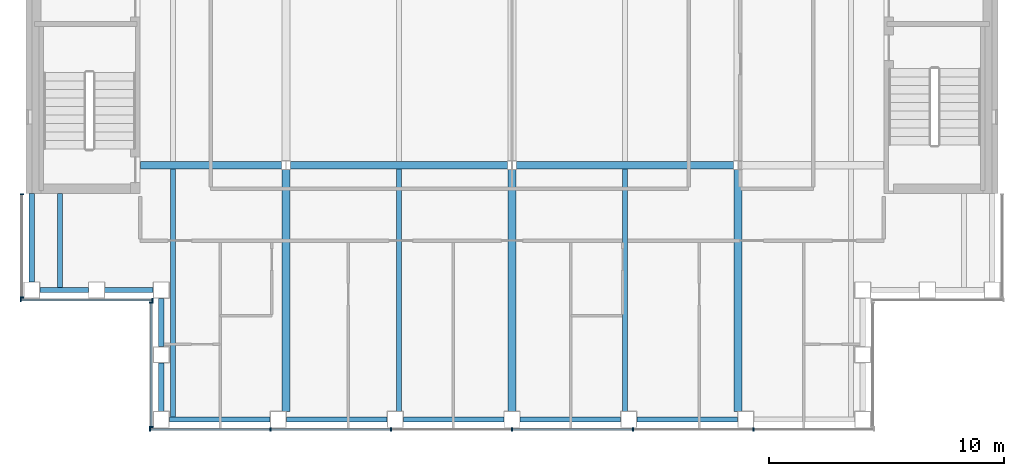
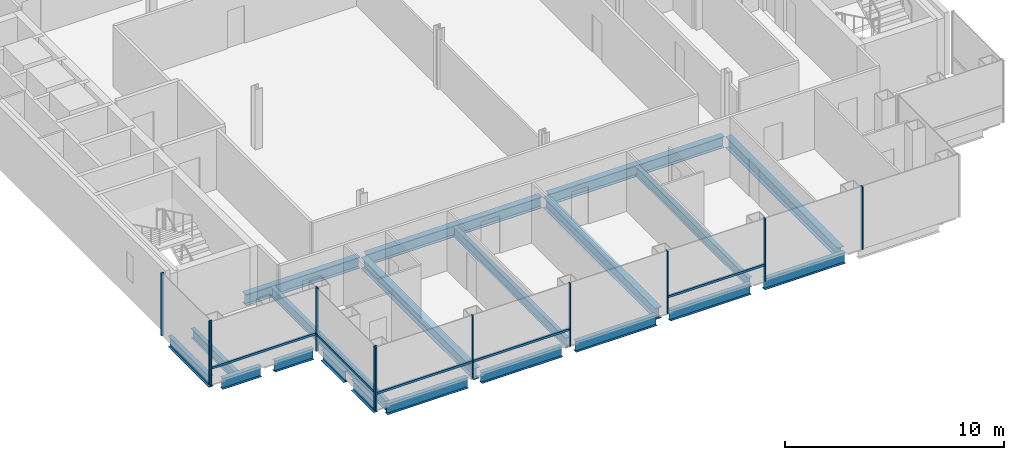
# One storey, part 3 of 15: 20 beams, 17 members, 4 elements without a shape of their own.
"""IFC4 building model written with IfcOpenShell, lengths in metres."""

from ifc_helpers import new_model, si_unit, direction, frame, origin, origin_2d, place, context, subcontext, project, spatial, rectangle, i_section, extrude, material, material_profile, profile_set, type_object, element, aggregate, save


model = new_model("IFC4")

# Units and contexts
model_context = context("Model", 3, precision=1e-05, world=origin(), true_north=direction((0.0, 1.0)))
body_context = subcontext(model_context, "Body", "Model", "MODEL_VIEW")
ifc_project = project(units=[si_unit("LENGTHUNIT", "METRE"), si_unit("AREAUNIT", "SQUARE_METRE"), si_unit("VOLUMEUNIT", "CUBIC_METRE"), si_unit("PLANEANGLEUNIT", "RADIAN"), si_unit("MASSUNIT", "GRAM", prefix="KILO")], contexts=[model_context])

# Site, building, storey
site_placement = place(None, origin())
site = spatial("IfcSite", under=ifc_project, at=site_placement, CompositionType="ELEMENT")
building_placement = place(site_placement, origin())
building = spatial("IfcBuilding", under=site, at=building_placement, Name="Cobrizo Arcos Hotel Tower", CompositionType="ELEMENT")
storey_placement = place(building_placement, frame((0.0, 0.0, 194.5)))
storey = spatial("IfcBuildingStorey", under=building, at=storey_placement, Name="L50", CompositionType="ELEMENT", Elevation=194.5)

# Curtain wall, members
ifc_material_1 = material(Name="Aluminium 6063-T6 anodised bronze", Category="aluminium")
curtain_wall_type = type_object("IfcCurtainWallType", Name="CW-A guest facade", PredefinedType="NOTDEFINED", material=ifc_material_1)
curtain_wall_1_placement = place(storey_placement, origin())
curtain_wall_1 = element("IfcCurtainWall", 1, at=curtain_wall_1_placement, inside=storey, type_object=curtain_wall_type, Name="CW-A L50 S face", PredefinedType="NOTDEFINED")
ifc_material_profile_1 = material_profile(ifc_material_1, rectangle(XDim=0.14990234375, YDim=0.06005859375, at=origin_2d()), Name="CW-A mullion 150x60")
ifc_profile_set_1 = profile_set([ifc_material_profile_1], Name="Aluminium 6063-T6 anodised bronze")
member_type_1 = type_object("IfcMemberType", Name="CW-A mullion 150x60", PredefinedType="MULLION", material=ifc_profile_set_1)
member_1_placement = place(storey_placement, frame((-15.3701171875, -20.824951171875, 0.0), z_axis=(0.0, 0.0, 1.0), x_axis=(0.0, -1.0, 0.0)))
member_1 = element("IfcMember", 2, at=member_1_placement, type_object=member_type_1, Name="CW-A mullion 1", PredefinedType="MULLION", context=body_context, shape_type="SweptSolid", body=[
    extrude(rectangle(XDim=0.14990234375, YDim=0.06005859375, at=origin_2d()), origin(), (0.0, 0.0, 1.0), 3.5),
])
member_2_placement = place(storey_placement, frame((-10.2666015625, -20.824951171875, 0.0), z_axis=(0.0, 0.0, 1.0), x_axis=(0.0, -1.0, 0.0)))
member_2 = element("IfcMember", 3, at=member_2_placement, type_object=member_type_1, Name="CW-A mullion 2", PredefinedType="MULLION", context=body_context, shape_type="SweptSolid", body=[
    extrude(rectangle(XDim=0.14990234375, YDim=0.06005859375, at=origin_2d()), origin(), (0.0, 0.0, 1.0), 3.5),
])
member_3_placement = place(storey_placement, frame((-5.13330078125, -20.824951171875, 0.0), z_axis=(0.0, 0.0, 1.0), x_axis=(0.0, -1.0, 0.0)))
member_3 = element("IfcMember", 4, at=member_3_placement, type_object=member_type_1, Name="CW-A mullion 3", PredefinedType="MULLION", context=body_context, shape_type="SweptSolid", body=[
    extrude(rectangle(XDim=0.14990234375, YDim=0.06005859375, at=origin_2d()), origin(), (0.0, 0.0, 1.0), 3.5),
])
member_4_placement = place(storey_placement, frame((0.0, -20.824951171875, 0.0), z_axis=(0.0, 0.0, 1.0), x_axis=(0.0, -1.0, 0.0)))
member_4 = element("IfcMember", 5, at=member_4_placement, type_object=member_type_1, Name="CW-A mullion 4", PredefinedType="MULLION", context=body_context, shape_type="SweptSolid", body=[
    extrude(rectangle(XDim=0.14990234375, YDim=0.06005859375, at=origin_2d()), origin(), (0.0, 0.0, 1.0), 3.5),
])
member_5_placement = place(storey_placement, frame((5.13330078125, -20.824951171875, 0.0), z_axis=(0.0, 0.0, 1.0), x_axis=(0.0, -1.0, 0.0)))
member_5 = element("IfcMember", 6, at=member_5_placement, type_object=member_type_1, Name="CW-A mullion 5", PredefinedType="MULLION", context=body_context, shape_type="SweptSolid", body=[
    extrude(rectangle(XDim=0.14990234375, YDim=0.06005859375, at=origin_2d()), origin(), (0.0, 0.0, 1.0), 3.5),
])
member_6_placement = place(storey_placement, frame((10.2666015625, -20.824951171875, 0.0), z_axis=(0.0, 0.0, 1.0), x_axis=(0.0, -1.0, 0.0)))
member_6 = element("IfcMember", 7, at=member_6_placement, type_object=member_type_1, Name="CW-A mullion 6", PredefinedType="MULLION", context=body_context, shape_type="SweptSolid", body=[
    extrude(rectangle(XDim=0.14990234375, YDim=0.06005859375, at=origin_2d()), origin(), (0.0, 0.0, 1.0), 3.5),
])

curtain_wall_2_placement = place(storey_placement, origin())
curtain_wall_2 = element("IfcCurtainWall", 8, at=curtain_wall_2_placement, inside=storey, type_object=curtain_wall_type, Name="CW-A L50 W face", PredefinedType="NOTDEFINED")
member_7_placement = place(storey_placement, frame((-20.824951171875, -10.830078125, 0.0), z_axis=(0.0, 0.0, 1.0), x_axis=(-1.0, 0.0, 0.0)))
member_7 = element("IfcMember", 9, at=member_7_placement, type_object=member_type_1, Name="CW-A mullion 1", PredefinedType="MULLION", context=body_context, shape_type="SweptSolid", body=[
    extrude(rectangle(XDim=0.14990234375, YDim=0.06005859375, at=origin_2d()), origin(), (0.0, 0.0, 1.0), 3.5),
])
member_8_placement = place(storey_placement, frame((-20.824951171875, -15.219970703125, 0.0), z_axis=(0.0, 0.0, 1.0), x_axis=(-1.0, 0.0, 0.0)))
member_8 = element("IfcMember", 10, at=member_8_placement, type_object=member_type_1, Name="CW-A mullion 2", PredefinedType="MULLION", context=body_context, shape_type="SweptSolid", body=[
    extrude(rectangle(XDim=0.14990234375, YDim=0.06005859375, at=origin_2d()), origin(), (0.0, 0.0, 1.0), 3.5),
])
aggregate(curtain_wall_2, [member_7, member_8])

curtain_wall_3_placement = place(storey_placement, origin())
curtain_wall_3 = element("IfcCurtainWall", 11, at=curtain_wall_3_placement, inside=storey, type_object=curtain_wall_type, Name="CW-A L50 S face", PredefinedType="NOTDEFINED")
member_9_placement = place(storey_placement, frame((-20.8701171875, -15.324951171875, 0.0), z_axis=(0.0, 0.0, 1.0), x_axis=(0.0, -1.0, 0.0)))
member_9 = element("IfcMember", 12, at=member_9_placement, type_object=member_type_1, Name="CW-A mullion 1", PredefinedType="MULLION", context=body_context, shape_type="SweptSolid", body=[
    extrude(rectangle(XDim=0.14990234375, YDim=0.06005859375, at=origin_2d()), origin(), (0.0, 0.0, 1.0), 3.5),
])
member_10_placement = place(storey_placement, frame((-15.280029296875, -15.324951171875, 0.0), z_axis=(0.0, 0.0, 1.0), x_axis=(0.0, -1.0, 0.0)))
member_10 = element("IfcMember", 13, at=member_10_placement, type_object=member_type_1, Name="CW-A mullion 2", PredefinedType="MULLION", context=body_context, shape_type="SweptSolid", body=[
    extrude(rectangle(XDim=0.14990234375, YDim=0.06005859375, at=origin_2d()), origin(), (0.0, 0.0, 1.0), 3.5),
])

curtain_wall_4_placement = place(storey_placement, origin())
curtain_wall_4 = element("IfcCurtainWall", 14, at=curtain_wall_4_placement, inside=storey, type_object=curtain_wall_type, Name="CW-A L50 W face", PredefinedType="NOTDEFINED")
member_11_placement = place(storey_placement, frame((-15.324951171875, -15.429931640625, 0.0), z_axis=(0.0, 0.0, 1.0), x_axis=(-1.0, 0.0, 0.0)))
member_11 = element("IfcMember", 15, at=member_11_placement, type_object=member_type_1, Name="CW-A mullion 1", PredefinedType="MULLION", context=body_context, shape_type="SweptSolid", body=[
    extrude(rectangle(XDim=0.14990234375, YDim=0.06005859375, at=origin_2d()), origin(), (0.0, 0.0, 1.0), 3.5),
])
member_12_placement = place(storey_placement, frame((-15.324951171875, -20.719970703125, 0.0), z_axis=(0.0, 0.0, 1.0), x_axis=(-1.0, 0.0, 0.0)))
member_12 = element("IfcMember", 16, at=member_12_placement, type_object=member_type_1, Name="CW-A mullion 2", PredefinedType="MULLION", context=body_context, shape_type="SweptSolid", body=[
    extrude(rectangle(XDim=0.14990234375, YDim=0.06005859375, at=origin_2d()), origin(), (0.0, 0.0, 1.0), 3.5),
])

# Member
ifc_material_profile_2 = material_profile(ifc_material_1, rectangle(XDim=0.10009765625, YDim=0.1201171875, at=origin_2d()), Name="CW-A transom 120x100")
ifc_profile_set_2 = profile_set([ifc_material_profile_2], Name="Aluminium 6063-T6 anodised bronze")
member_type_2 = type_object("IfcMemberType", Name="CW-A transom 120x100", PredefinedType="USERDEFINED", material=ifc_profile_set_2)
member_13_placement = place(storey_placement, frame((-15.340087890625, -20.824951171875, 0.929931640625), z_axis=(1.0, 0.0, 0.0), x_axis=(0.0, 1.0, 0.0)))
member_13 = element("IfcMember", 17, at=member_13_placement, type_object=member_type_2, Name="CW-A transom 1720", ObjectType="TRANSOM", PredefinedType="USERDEFINED", context=body_context, shape_type="SweptSolid", body=[
    extrude(rectangle(XDim=0.10009765625, YDim=0.1201171875, at=origin_2d()), origin(), (0.0, 0.0, 1.0), 5.04345703125),
])

member_14_placement = place(storey_placement, frame((-10.236572265625, -20.824951171875, 0.929931640625), z_axis=(1.0, 0.0, 0.0), x_axis=(0.0, 1.0, 0.0)))
member_14 = element("IfcMember", 18, at=member_14_placement, type_object=member_type_2, Name="CW-A transom 1721", ObjectType="TRANSOM", PredefinedType="USERDEFINED", context=body_context, shape_type="SweptSolid", body=[
    extrude(rectangle(XDim=0.10009765625, YDim=0.1201171875, at=origin_2d()), origin(), (0.0, 0.0, 1.0), 5.0732421875),
])

member_15_placement = place(storey_placement, frame((0.030029296875, -20.824951171875, 0.929931640625), z_axis=(1.0, 0.0, 0.0), x_axis=(0.0, 1.0, 0.0)))
member_15 = element("IfcMember", 19, at=member_15_placement, type_object=member_type_2, Name="CW-A transom 1723", ObjectType="TRANSOM", PredefinedType="USERDEFINED", context=body_context, shape_type="SweptSolid", body=[
    extrude(rectangle(XDim=0.10009765625, YDim=0.1201171875, at=origin_2d()), origin(), (0.0, 0.0, 1.0), 5.0732421875),
])

aggregate(curtain_wall_1, [member_1, member_2, member_3, member_4, member_5, member_6, member_13, member_14, member_15])

member_16_placement = place(storey_placement, frame((-20.840087890625, -15.324951171875, 0.929931640625), z_axis=(1.0, 0.0, 0.0), x_axis=(0.0, 1.0, 0.0)))
member_16 = element("IfcMember", 20, at=member_16_placement, type_object=member_type_2, Name="CW-A transom 1742", ObjectType="TRANSOM", PredefinedType="USERDEFINED", context=body_context, shape_type="SweptSolid", body=[
    extrude(rectangle(XDim=0.10009765625, YDim=0.1201171875, at=origin_2d()), origin(), (0.0, 0.0, 1.0), 5.530029296875),
])

aggregate(curtain_wall_3, [member_9, member_10, member_16])

member_17_placement = place(storey_placement, frame((-15.324951171875, -15.4599609375, 0.929931640625), z_axis=(0.0, -1.0, 0.0), x_axis=(1.0, 0.0, 0.0)))
member_17 = element("IfcMember", 21, at=member_17_placement, type_object=member_type_2, Name="CW-A transom 1743", ObjectType="TRANSOM", PredefinedType="USERDEFINED", context=body_context, shape_type="SweptSolid", body=[
    extrude(rectangle(XDim=0.10009765625, YDim=0.1201171875, at=origin_2d()), origin(), (0.0, 0.0, 1.0), 5.22998046875),
])

aggregate(curtain_wall_4, [member_11, member_12, member_17])

# Beams
ifc_material_2 = material(Name="Steel ASTM A992 Grade 50", Category="steel")
ifc_material_profile_3 = material_profile(ifc_material_2, i_section(OverallWidth=0.209228515625, OverallDepth=0.533447265625, WebThickness=0.01025390625, FlangeThickness=0.015625, at=origin_2d()), Name="W21X62")
ifc_profile_set_3 = profile_set([ifc_material_profile_3], Name="Steel ASTM A992 Grade 50")
beam_type_1 = type_object("IfcBeamType", Name="W21X62 joist", PredefinedType="JOIST", material=ifc_profile_set_3)
beam_1_placement = place(storey_placement, frame((-19.199951171875, -14.81005859375, -0.416748046875), z_axis=(0.0, 1.0, 0.0), x_axis=(-1.0, 0.0, 0.0)))
element("IfcBeam", 22, at=beam_1_placement, inside=storey, type_object=beam_type_1, Name="Floor joist J1, L50, no. 001", PredefinedType="JOIST", context=body_context, shape_type="SweptSolid", body=[
    extrude(i_section(OverallWidth=0.209228515625, OverallDepth=0.533447265625, WebThickness=0.01025390625, FlangeThickness=0.015625, at=origin_2d()), origin(), (0.0, 0.0, 1.0), 4.0),
])
beam_2_placement = place(storey_placement, frame((-14.39990234375, -20.31005859375, -0.416748046875), z_axis=(0.0, 1.0, 0.0), x_axis=(-1.0, 0.0, 0.0)))
element("IfcBeam", 23, at=beam_2_placement, inside=storey, type_object=beam_type_1, Name="Floor joist J1, L50, no. 003", PredefinedType="JOIST", context=body_context, shape_type="SweptSolid", body=[
    extrude(i_section(OverallWidth=0.209228515625, OverallDepth=0.533447265625, WebThickness=0.01025390625, FlangeThickness=0.015625, at=origin_2d()), origin(), (0.0, 0.0, 1.0), 10.546142578125),
])
for number, where, z_axis, x_axis, name in (
    (24, (-4.800048828125, -20.050048828125, -0.416748046875), (0.0, 1.0, 0.0), (-1.0, 0.0, 0.0), "Floor joist J1, L50, no. 007"),
    (25, (4.800048828125, -20.050048828125, -0.416748046875), (0.0, 1.0, 0.0), (-1.0, 0.0, 0.0), "Floor joist J1, L50, no. 011"),
):
    element("IfcBeam", number, at=place(storey_placement, frame(where, z_axis=z_axis, x_axis=x_axis)), inside=storey, type_object=beam_type_1, Name=name, PredefinedType="JOIST", context=body_context, shape_type="SweptSolid", body=[
        extrude(i_section(OverallWidth=0.209228515625, OverallDepth=0.533447265625, WebThickness=0.01025390625, FlangeThickness=0.015625, at=origin_2d()), origin(), (0.0, 0.0, 1.0), 10.2861328125),
    ])
ifc_material_profile_4 = material_profile(ifc_material_2, i_section(OverallWidth=0.32763671875, OverallDepth=0.622314453125, WebThickness=0.015380859375, FlangeThickness=0.0244140625, at=origin_2d()), Name="W24X131")
ifc_profile_set_4 = profile_set([ifc_material_profile_4], Name="Steel ASTM A992 Grade 50")
beam_type_2 = type_object("IfcBeamType", Name="W24X131 girder", PredefinedType="BEAM", material=ifc_profile_set_4)
beam_3_placement = place(storey_placement, frame((-15.7900390625, -9.60009765625, -0.461181640625), z_axis=(1.0, 0.0, 0.0), x_axis=(0.0, 1.0, 0.0)))
element("IfcBeam", 26, at=beam_3_placement, inside=storey, type_object=beam_type_2, Name="Floor girder G1, L50, no. 001", PredefinedType="BEAM", context=body_context, shape_type="SweptSolid", body=[
    extrude(i_section(OverallWidth=0.32763671875, OverallDepth=0.622314453125, WebThickness=0.015380859375, FlangeThickness=0.0244140625, at=origin_2d()), origin(), (0.0, 0.0, 1.0), 6.00341796875),
])
for number, where, z_axis, x_axis, name in (
    (27, (-9.413330078125, -9.60009765625, -0.461181640625), (1.0, 0.0, 0.0), (0.0, 1.0, 0.0), "Floor girder G1, L50, no. 002"),
    (28, (0.186767578125, -9.60009765625, -0.461181640625), (1.0, 0.0, 0.0), (0.0, 1.0, 0.0), "Floor girder G1, L50, no. 003"),
):
    element("IfcBeam", number, at=place(storey_placement, frame(where, z_axis=z_axis, x_axis=x_axis)), inside=storey, type_object=beam_type_2, Name=name, PredefinedType="BEAM", context=body_context, shape_type="SweptSolid", body=[
        extrude(i_section(OverallWidth=0.32763671875, OverallDepth=0.622314453125, WebThickness=0.015380859375, FlangeThickness=0.0244140625, at=origin_2d()), origin(), (0.0, 0.0, 1.0), 9.2265625),
    ])
for number, where, z_axis, x_axis, name in (
    (29, (-9.60009765625, -20.050048828125, -0.461181640625), (0.0, 1.0, 0.0), (-1.0, 0.0, 0.0), "Floor girder G1, L50, no. 013"),
    (30, (0.0, -20.050048828125, -0.461181640625), (0.0, 1.0, 0.0), (-1.0, 0.0, 0.0), "Floor girder G1, L50, no. 017"),
    (31, (9.60009765625, -20.050048828125, -0.461181640625), (0.0, 1.0, 0.0), (-1.0, 0.0, 0.0), "Floor girder G1, L50, no. 021"),
):
    element("IfcBeam", number, at=place(storey_placement, frame(where, z_axis=z_axis, x_axis=x_axis)), inside=storey, type_object=beam_type_2, Name=name, PredefinedType="BEAM", context=body_context, shape_type="SweptSolid", body=[
        extrude(i_section(OverallWidth=0.32763671875, OverallDepth=0.622314453125, WebThickness=0.015380859375, FlangeThickness=0.0244140625, at=origin_2d()), origin(), (0.0, 0.0, 1.0), 10.263427734375),
    ])
ifc_material_profile_5 = material_profile(ifc_material_2, i_section(OverallWidth=0.228271484375, OverallDepth=0.607177734375, WebThickness=0.01123046875, FlangeThickness=0.017333984375, at=origin_2d()), Name="W24X76")
ifc_profile_set_5 = profile_set([ifc_material_profile_5], Name="Steel ASTM A992 Grade 50")
beam_type_3 = type_object("IfcBeamType", Name="W24X76 spandrel", PredefinedType="SPANDREL", material=ifc_profile_set_5)
beam_4_placement = place(storey_placement, frame((-14.550048828125, -20.39990234375, -0.45361328125), z_axis=(1.0, 0.0, 0.0), x_axis=(0.0, 1.0, 0.0)))
element("IfcBeam", 32, at=beam_4_placement, inside=storey, type_object=beam_type_3, Name="Spandrel beam W24X76, L50, no. 001", PredefinedType="SPANDREL", context=body_context, shape_type="SweptSolid", body=[
    extrude(i_section(OverallWidth=0.228271484375, OverallDepth=0.607177734375, WebThickness=0.01123046875, FlangeThickness=0.017333984375, at=origin_2d()), origin(), (0.0, 0.0, 1.0), 4.26708984375),
])
beam_5_placement = place(storey_placement, frame((-9.5830078125, -20.39990234375, -0.45361328125), z_axis=(1.0, 0.0, 0.0), x_axis=(0.0, 1.0, 0.0)))
element("IfcBeam", 33, at=beam_5_placement, inside=storey, type_object=beam_type_3, Name="Spandrel beam W24X76, L50, no. 002", PredefinedType="SPANDREL", context=body_context, shape_type="SweptSolid", body=[
    extrude(i_section(OverallWidth=0.228271484375, OverallDepth=0.607177734375, WebThickness=0.01123046875, FlangeThickness=0.017333984375, at=origin_2d()), origin(), (0.0, 0.0, 1.0), 4.26611328125),
])
for number, where, z_axis, x_axis, name in (
    (34, (-4.616943359375, -20.39990234375, -0.45361328125), (1.0, 0.0, 0.0), (0.0, 1.0, 0.0), "Spandrel beam W24X76, L50, no. 003"),
    (35, (0.35009765625, -20.39990234375, -0.45361328125), (1.0, 0.0, 0.0), (0.0, 1.0, 0.0), "Spandrel beam W24X76, L50, no. 004"),
):
    element("IfcBeam", number, at=place(storey_placement, frame(where, z_axis=z_axis, x_axis=x_axis)), inside=storey, type_object=beam_type_3, Name=name, PredefinedType="SPANDREL", context=body_context, shape_type="SweptSolid", body=[
        extrude(i_section(OverallWidth=0.228271484375, OverallDepth=0.607177734375, WebThickness=0.01123046875, FlangeThickness=0.017333984375, at=origin_2d()), origin(), (0.0, 0.0, 1.0), 4.266845703125),
    ])
beam_6_placement = place(storey_placement, frame((5.31689453125, -20.39990234375, -0.45361328125), z_axis=(1.0, 0.0, 0.0), x_axis=(0.0, 1.0, 0.0)))
element("IfcBeam", 36, at=beam_6_placement, inside=storey, type_object=beam_type_3, Name="Spandrel beam W24X76, L50, no. 005", PredefinedType="SPANDREL", context=body_context, shape_type="SweptSolid", body=[
    extrude(i_section(OverallWidth=0.228271484375, OverallDepth=0.607177734375, WebThickness=0.01123046875, FlangeThickness=0.017333984375, at=origin_2d()), origin(), (0.0, 0.0, 1.0), 4.26611328125),
])
beam_7_placement = place(storey_placement, frame((-20.39990234375, -10.81005859375, -0.45361328125), z_axis=(0.0, -1.0, 0.0), x_axis=(1.0, 0.0, 0.0)))
element("IfcBeam", 37, at=beam_7_placement, inside=storey, type_object=beam_type_3, Name="Spandrel beam W24X76, L50, no. 028", PredefinedType="SPANDREL", context=body_context, shape_type="SweptSolid", body=[
    extrude(i_section(OverallWidth=0.228271484375, OverallDepth=0.607177734375, WebThickness=0.01123046875, FlangeThickness=0.017333984375, at=origin_2d()), origin(), (0.0, 0.0, 1.0), 3.739990234375),
])
for number, where, z_axis, x_axis, name in (
    (38, (-20.050048828125, -14.89990234375, -0.45361328125), (1.0, 0.0, 0.0), (0.0, 1.0, 0.0), "Spandrel beam W24X76, L50, no. 029"),
    (39, (-17.300048828125, -14.89990234375, -0.45361328125), (1.0, 0.0, 0.0), (0.0, 1.0, 0.0), "Spandrel beam W24X76, L50, no. 030"),
    (40, (-14.89990234375, -15.25, -0.45361328125), (0.0, -1.0, 0.0), (1.0, 0.0, 0.0), "Spandrel beam W24X76, L50, no. 031"),
    (41, (-14.89990234375, -18.0, -0.45361328125), (0.0, -1.0, 0.0), (1.0, 0.0, 0.0), "Spandrel beam W24X76, L50, no. 032"),
):
    element("IfcBeam", number, at=place(storey_placement, frame(where, z_axis=z_axis, x_axis=x_axis)), inside=storey, type_object=beam_type_3, Name=name, PredefinedType="SPANDREL", context=body_context, shape_type="SweptSolid", body=[
        extrude(i_section(OverallWidth=0.228271484375, OverallDepth=0.607177734375, WebThickness=0.01123046875, FlangeThickness=0.017333984375, at=origin_2d()), origin(), (0.0, 0.0, 1.0), 2.050048828125),
    ])

save(model, "model.ifc")
